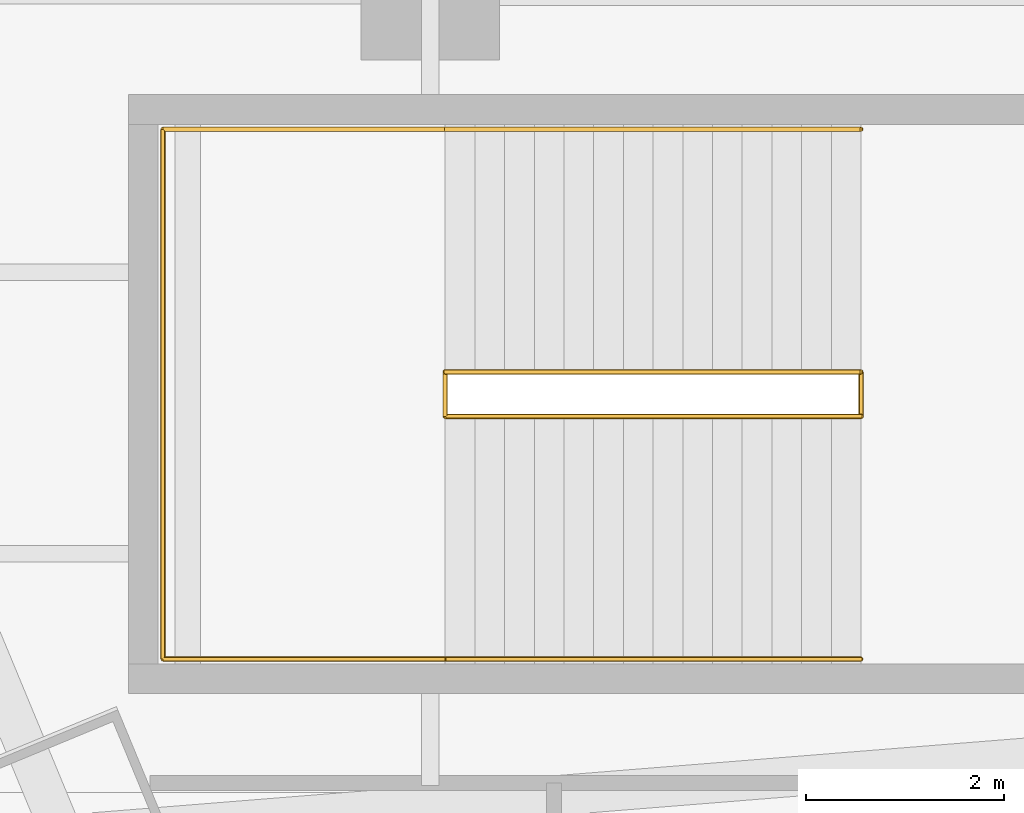
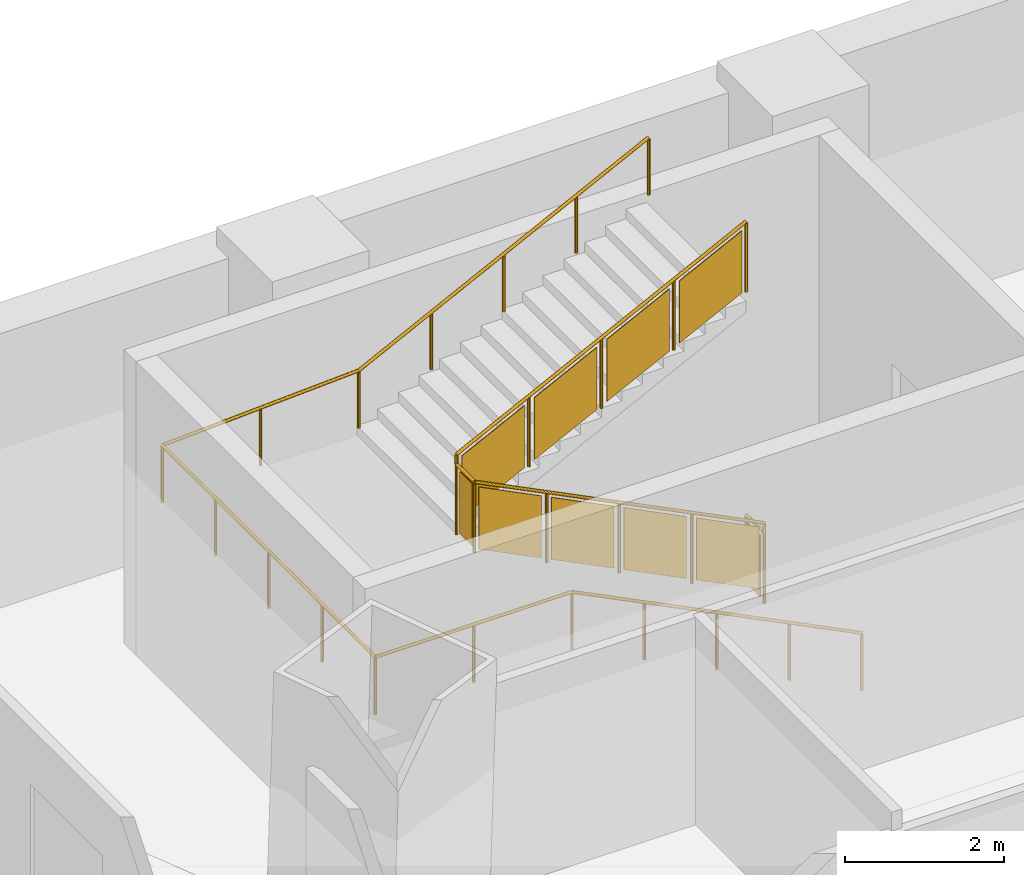
# One storey, part 13 of 15: 2 railings.
"""IFC4 building model written with IfcOpenShell, lengths in metres."""

import ifcopenshell
import ifcopenshell.guid

model = None  # the IFC model being written
_history = None  # IfcOwnerHistory: only IFC2X3 demands one
_inside = {}  # id of a spatial element -> (the spatial element, [elements in it])
_under = {}  # id of a project, library or spatial element -> (it, [spatial elements below it])
_declared = {}  # id of a project -> (the project, [libraries it declares])
_typed = {}  # id of a type object -> (the type object, [elements of that type])
_made_of = {}  # id of a material, layer set ... -> (it, [elements and type objects made of it])


def new_model(schema):
    """Start an empty IFC model of exactly this schema.

    Asked for "IFC4X3", IfcOpenShell would pick the latest addendum, in which some entities
    have other attributes; the version numbers below select the first issue.
    IFC2X3 requires an IfcOwnerHistory on every rooted entity: one is made here for all.
    """
    global model, _history
    if schema == "IFC4X3":
        model = ifcopenshell.file(schema_version=(4, 3, 0, 0))
    else:
        model = ifcopenshell.file(schema=schema)
    _inside.clear()
    _under.clear()
    _declared.clear()
    _typed.clear()
    _made_of.clear()
    _history = None
    if model.schema == "IFC2X3":
        org = make("IfcOrganization", Name="unknown")
        user = make(
            "IfcPersonAndOrganization",
            ThePerson=make("IfcPerson", FamilyName="unknown"),
            TheOrganization=org,
        )
        app = make(
            "IfcApplication",
            ApplicationDeveloper=org,
            Version="unknown",
            ApplicationFullName="unknown",
            ApplicationIdentifier="unknown",
        )
        _history = make(
            "IfcOwnerHistory",
            OwningUser=user,
            OwningApplication=app,
            ChangeAction="ADDED",
            CreationDate=0,
        )
    return model


def make(cls, **values):
    """One entity of the class cls with the attributes given. An attribute that is None is left unset."""
    return model.create_entity(
        cls, **{name: value for name, value in values.items() if value is not None}
    )


def rooted(cls, **values):
    """An entity with a GlobalId (a new one), such as an element, a storey or a relation."""
    return make(cls, GlobalId=ifcopenshell.guid.new(), OwnerHistory=_history, **values)


def si_unit(unit_type, name, prefix=None):
    """IfcSIUnit, for example si_unit("LENGTHUNIT", "METRE", prefix="MILLI")."""
    return make("IfcSIUnit", UnitType=unit_type, Prefix=prefix, Name=name)


def assignment(units):
    """IfcUnitAssignment: the units of a project."""
    return None if units is None else make("IfcUnitAssignment", Units=units)


def point(xyz):
    """IfcCartesianPoint."""
    return None if xyz is None else make("IfcCartesianPoint", Coordinates=xyz)


def direction(xyz):
    """IfcDirection."""
    return None if xyz is None else make("IfcDirection", DirectionRatios=xyz)


def frame(location, z_axis=None, x_axis=None):
    """IfcAxis2Placement3D, a coordinate frame: its origin and axes. An axis left out is left unset."""
    return make(
        "IfcAxis2Placement3D",
        Location=point(location),
        Axis=direction(z_axis),
        RefDirection=direction(x_axis),
    )


def frame_2d(location, x_axis=None):
    """IfcAxis2Placement2D, a coordinate frame in the plane: its origin and x axis."""
    return make(
        "IfcAxis2Placement2D", Location=point(location), RefDirection=direction(x_axis)
    )


def origin():
    """The frame at (0, 0, 0) with its axes left unset."""
    return frame((0.0, 0.0, 0.0))


def origin_2d():
    """The frame at (0, 0) in the plane with its x axis left unset."""
    return frame_2d((0.0, 0.0))


def place(relative_to, where):
    """IfcLocalPlacement: puts the frame where relative to a parent placement (None: the world)."""
    return make(
        "IfcLocalPlacement", PlacementRelTo=relative_to, RelativePlacement=where
    )


def context(
    kind, dimensions, precision=None, world=None, true_north=None, identifier=None
):
    """IfcGeometricRepresentationContext, for example the 3D "Model" context."""
    return make(
        "IfcGeometricRepresentationContext",
        ContextIdentifier=identifier,
        ContextType=kind,
        CoordinateSpaceDimension=dimensions,
        Precision=precision,
        WorldCoordinateSystem=world,
        TrueNorth=true_north,
    )


def subcontext(parent, identifier, kind, view, scale=None):
    """IfcGeometricRepresentationSubContext, for example "Body" below "Model"."""
    return make(
        "IfcGeometricRepresentationSubContext",
        ContextIdentifier=identifier,
        ContextType=kind,
        ParentContext=parent,
        TargetScale=scale,
        TargetView=view,
    )


def project(units=None, contexts=None):
    """IfcProject with its units and contexts."""
    return rooted(
        "IfcProject",
        Name="project",
        RepresentationContexts=contexts,
        UnitsInContext=assignment(units),
    )


def spatial(cls, under=None, at=None, **own):
    """A site, building, storey or space (cls), placed at a placement, below another one or the project."""
    s = rooted(cls, ObjectPlacement=at, **own)
    if under is not None:
        _under.setdefault(under.id(), (under, []))[1].append(s)
    return s


def polyline(points):
    """IfcPolyline through the points."""
    return make("IfcPolyline", Points=[point(p) for p in points])


def profile(cls, at=None, kind="AREA", **sizes):
    """A parametric profile (cls). Its sizes go by their IFC names, for example OverallWidth=200.0."""
    return make(cls, ProfileType=kind, Position=at, **sizes)


def circle(**sizes):
    """IfcCircleProfileDef."""
    return profile("IfcCircleProfileDef", **sizes)


def outline(outer, holes=None, kind="AREA"):
    """IfcArbitraryClosedProfileDef: a profile drawn as a closed curve; with holes, ...WithVoids."""
    if holes is None:
        return make("IfcArbitraryClosedProfileDef", ProfileType=kind, OuterCurve=outer)
    return make(
        "IfcArbitraryProfileDefWithVoids",
        ProfileType=kind,
        OuterCurve=outer,
        InnerCurves=holes,
    )


def extrude(swept, where, along, depth):
    """IfcExtrudedAreaSolid: the profile swept, set in the frame where, extruded along a direction by depth."""
    return make(
        "IfcExtrudedAreaSolid",
        SweptArea=swept,
        Position=where,
        ExtrudedDirection=direction(along),
        Depth=depth,
    )


def shape(context_of_items, identifier, shape_type, items):
    """IfcShapeRepresentation: the items that make up one representation, for example the "Body"."""
    return make(
        "IfcShapeRepresentation",
        ContextOfItems=context_of_items,
        RepresentationIdentifier=identifier,
        RepresentationType=shape_type,
        Items=items,
    )


def material(Name=None, Category=None):
    """IfcMaterial."""
    return make("IfcMaterial", Name=Name, Category=Category)


def made_of(thing, what):
    """Note that an element or type object is made of a material, layer set ...; save() writes the relation."""
    if what is not None:
        _made_of.setdefault(what.id(), (what, []))[1].append(thing)
    return thing


def type_object(cls, material=None, **own):
    """A type object (cls), such as IfcWallType, which elements share."""
    return made_of(rooted(cls, **own), material)


def element(
    cls,
    number,
    at=None,
    inside=None,
    cuts=None,
    type_object=None,
    material=None,
    context=None,
    identifier="Body",
    shape_type=None,
    held_by="IfcProductDefinitionShape",
    body=None,
    shapes=None,
    **own,
):
    """One element of the class cls, such as IfcWall. Its Tag is "e" and its number.

    at: its placement. inside: the storey or other place that contains it. cuts: it is an
    opening in that element (IfcRelVoidsElement). A single representation is given by context,
    identifier, shape_type and body (its items); several are given by shapes. held_by: the class
    of the entity that holds the representations. save() writes the other relations.
    """
    e = rooted(cls, Tag="e%d" % number, ObjectPlacement=at, **own)
    if body is not None:
        shapes = [shape(context, identifier, shape_type, body)]
    if shapes is not None:
        e.Representation = make(held_by, Representations=shapes)
    if inside is not None:
        _inside.setdefault(inside.id(), (inside, []))[1].append(e)
    if cuts is not None:
        rooted(
            "IfcRelVoidsElement", RelatingBuildingElement=cuts, RelatedOpeningElement=e
        )
    if type_object is not None:
        _typed.setdefault(type_object.id(), (type_object, []))[1].append(e)
    return made_of(e, material)


def aggregate(whole, parts):
    """IfcRelAggregates: a whole, such as a stair, and the parts it consists of."""
    return rooted("IfcRelAggregates", RelatingObject=whole, RelatedObjects=parts)


def save(model, path):
    """Write the relations noted so far, then the file.

    IfcRelAggregates (storeys below a building ...), IfcRelContainedInSpatialStructure (elements
    in a storey), IfcRelDefinesByType, IfcRelAssociatesMaterial and IfcRelDeclares: one each for
    every whole, place, type object, material and project.
    """
    for whole, parts in _under.values():
        aggregate(whole, parts)
    for where, things in _inside.values():
        rooted(
            "IfcRelContainedInSpatialStructure",
            RelatedElements=things,
            RelatingStructure=where,
        )
    for kind, things in _typed.values():
        rooted("IfcRelDefinesByType", RelatedObjects=things, RelatingType=kind)
    for what, things in _made_of.values():
        rooted("IfcRelAssociatesMaterial", RelatedObjects=things, RelatingMaterial=what)
    for by, libraries in _declared.values():
        rooted("IfcRelDeclares", RelatingContext=by, RelatedDefinitions=libraries)
    model.write(path)


model = new_model("IFC4")

# Units and contexts
model_context = context("Model", 3, precision=1e-05, world=origin(), true_north=direction((0.0, 1.0)))
body_context = subcontext(model_context, "Body", "Model", "MODEL_VIEW")
ifc_project = project(units=[si_unit("LENGTHUNIT", "METRE"), si_unit("AREAUNIT", "SQUARE_METRE"), si_unit("VOLUMEUNIT", "CUBIC_METRE"), si_unit("PLANEANGLEUNIT", "RADIAN"), si_unit("MASSUNIT", "GRAM", prefix="KILO")], contexts=[model_context])

# Site, building, storey
site_placement = place(None, origin())
site = spatial("IfcSite", under=ifc_project, at=site_placement, CompositionType="ELEMENT")
building_placement = place(site_placement, origin())
building = spatial("IfcBuilding", under=site, at=building_placement, Name="Mashrafa Tower", CompositionType="ELEMENT")
storey_placement = place(building_placement, frame((0.0, 0.0, -4.5)))
storey = spatial("IfcBuildingStorey", under=building, at=storey_placement, Name="B1", CompositionType="ELEMENT", Elevation=-4.5)

# Railings
ifc_material_1 = material(Name="Steel guard with glass infill", Category="steel")
railing_type_1 = type_object("IfcRailingType", Name="Stair guard 1100", PredefinedType="GUARDRAIL", material=ifc_material_1)
railing_1_placement = place(storey_placement, frame((-2.89990234375, 31.14990234375, 0.0)))
element("IfcRailing", 1, at=railing_1_placement, inside=storey, type_object=railing_type_1, Name="Stair P2 guard B1", PredefinedType="GUARDRAIL", context=body_context, shape_type="SweptSolid", body=[
    extrude(circle(Radius=0.02392578125, at=origin_2d()), frame((0.0, 0.0, 1.076171875), z_axis=(0.0, -1.0, 0.0), x_axis=(1.0, 0.0, 0.0)), (0.0, 0.0, 1.0), 0.449951171875),
    extrude(circle(Radius=0.02392578125, at=origin_2d()), frame((0.0, -0.449951171875, 1.076171875), z_axis=(0.0, 0.0, 1.0), x_axis=(1.0, 0.0, 0.0)), (0.0, 0.0, 1.0), 0.14990234375),
    extrude(circle(Radius=0.02392578125, at=origin_2d()), frame((0.0, -0.449951171875, 1.22607421875), z_axis=(-0.894427191, 0.0, 0.4472135955), x_axis=(0.0, -1.0, 0.0)), (0.0, 0.0, 1.0), 4.696044921875),
    extrude(circle(Radius=0.02392578125, at=origin_2d()), frame((-4.2001953125, -0.449951171875, 3.326171875), z_axis=(0.0, 1.0, 0.0), x_axis=(-1.0, 0.0, 0.0)), (0.0, 0.0, 1.0), 0.449951171875),
    extrude(circle(Radius=0.02392578125, at=origin_2d()), frame((-4.2001953125, 0.0, 3.326171875), z_axis=(0.0, 0.0, 1.0), x_axis=(1.0, 0.0, 0.0)), (0.0, 0.0, 1.0), 0.14990234375),
    extrude(circle(Radius=0.02392578125, at=origin_2d()), frame((-4.2001953125, 0.0, 3.47607421875), z_axis=(0.894427191, 0.0, 0.4472135955), x_axis=(0.0, 1.0, 0.0)), (0.0, 0.0, 1.0), 4.696044921875),
    extrude(circle(Radius=0.02099609375, at=origin_2d()), origin(), (0.0, 0.0, 1.0), 1.052001953125),
    extrude(circle(Radius=0.02099609375, at=origin_2d()), frame((0.0, -0.449951171875, 0.0)), (0.0, 0.0, 1.0), 1.052001953125),
    extrude(circle(Radius=0.02099609375, at=origin_2d()), frame((0.0, -0.449951171875, 0.14990234375)), (0.0, 0.0, 1.0), 1.052001953125),
    extrude(circle(Radius=0.02099609375, at=origin_2d()), frame((-1.050048828125, -0.449951171875, 0.6748046875)), (0.0, 0.0, 1.0), 1.052001953125),
    extrude(circle(Radius=0.02099609375, at=origin_2d()), frame((-2.10009765625, -0.449951171875, 1.199951171875)), (0.0, 0.0, 1.0), 1.052001953125),
    extrude(circle(Radius=0.02099609375, at=origin_2d()), frame((-3.150146484375, -0.449951171875, 1.72509765625)), (0.0, 0.0, 1.0), 1.052001953125),
    extrude(circle(Radius=0.02099609375, at=origin_2d()), frame((-4.2001953125, -0.449951171875, 2.25)), (0.0, 0.0, 1.0), 1.052001953125),
    extrude(circle(Radius=0.02099609375, at=origin_2d()), frame((-4.2001953125, 0.0, 2.25)), (0.0, 0.0, 1.0), 1.052001953125),
    extrude(circle(Radius=0.02099609375, at=origin_2d()), frame((-4.2001953125, 0.0, 2.39990234375)), (0.0, 0.0, 1.0), 1.052001953125),
    extrude(circle(Radius=0.02099609375, at=origin_2d()), frame((-3.150146484375, 0.0, 2.9248046875)), (0.0, 0.0, 1.0), 1.052001953125),
    extrude(circle(Radius=0.02099609375, at=origin_2d()), frame((-2.10009765625, 0.0, 3.449951171875)), (0.0, 0.0, 1.0), 1.052001953125),
    extrude(circle(Radius=0.02099609375, at=origin_2d()), frame((-1.050048828125, 0.0, 3.97509765625)), (0.0, 0.0, 1.0), 1.052001953125),
    extrude(circle(Radius=0.02099609375, at=origin_2d()), frame((0.0, 0.0, 4.5)), (0.0, 0.0, 1.0), 1.052001953125),
    extrude(outline(polyline([(0.071044921875, 0.050048828125), (0.37890625, 0.050048828125), (0.37890625, 1.001953125), (0.071044921875, 1.001953125), (0.071044921875, 0.050048828125)])), frame((-0.006103515625, 0.0, 0.0), z_axis=(-1.0, 0.0, 0.0), x_axis=(0.0, -1.0, 0.0)), (0.0, 0.0, 1.0), 0.011962890625),
    extrude(outline(polyline([(0.071044921875, 0.08544921875), (0.97900390625, 0.53955078125), (0.97900390625, 1.491455078125), (0.071044921875, 1.03759765625), (0.071044921875, 0.08544921875)])), frame((0.0, -0.44384765625, 0.14990234375), z_axis=(0.0, 1.0, 0.0), x_axis=(-1.0, 0.0, 0.0)), (0.0, 0.0, 1.0), 0.011962890625),
    extrude(outline(polyline([(1.12109375, 0.610595703125), (2.029052734375, 1.064453125), (2.029052734375, 2.0166015625), (1.12109375, 1.5625), (1.12109375, 0.610595703125)])), frame((0.0, -0.44384765625, 0.14990234375), z_axis=(0.0, 1.0, 0.0), x_axis=(-1.0, 0.0, 0.0)), (0.0, 0.0, 1.0), 0.011962890625),
    extrude(outline(polyline([(2.171142578125, 1.135498046875), (3.0791015625, 1.589599609375), (3.0791015625, 2.54150390625), (2.171142578125, 2.087646484375), (2.171142578125, 1.135498046875)])), frame((0.0, -0.44384765625, 0.14990234375), z_axis=(0.0, 1.0, 0.0), x_axis=(-1.0, 0.0, 0.0)), (0.0, 0.0, 1.0), 0.011962890625),
    extrude(outline(polyline([(3.22119140625, 1.66064453125), (4.129150390625, 2.114501953125), (4.129150390625, 3.066650390625), (3.22119140625, 2.612548828125), (3.22119140625, 1.66064453125)])), frame((0.0, -0.44384765625, 0.14990234375), z_axis=(0.0, 1.0, 0.0), x_axis=(-1.0, 0.0, 0.0)), (0.0, 0.0, 1.0), 0.011962890625),
    extrude(outline(polyline([(0.071044921875, 0.050048828125), (0.37890625, 0.050048828125), (0.37890625, 1.001953125), (0.071044921875, 1.001953125), (0.071044921875, 0.050048828125)])), frame((-4.194091796875, -0.449951171875, 2.25), z_axis=(1.0, 0.0, 0.0), x_axis=(0.0, 1.0, 0.0)), (0.0, 0.0, 1.0), 0.011962890625),
    extrude(outline(polyline([(0.071044921875, 0.08544921875), (0.97900390625, 0.53955078125), (0.97900390625, 1.491455078125), (0.071044921875, 1.03759765625), (0.071044921875, 0.08544921875)])), frame((-4.2001953125, -0.006103515625, 2.39990234375), z_axis=(0.0, -1.0, 0.0), x_axis=(1.0, 0.0, 0.0)), (0.0, 0.0, 1.0), 0.011962890625),
    extrude(outline(polyline([(1.12109375, 0.610595703125), (2.029052734375, 1.064453125), (2.029052734375, 2.0166015625), (1.12109375, 1.5625), (1.12109375, 0.610595703125)])), frame((-4.2001953125, -0.006103515625, 2.39990234375), z_axis=(0.0, -1.0, 0.0), x_axis=(1.0, 0.0, 0.0)), (0.0, 0.0, 1.0), 0.011962890625),
    extrude(outline(polyline([(2.171142578125, 1.135498046875), (3.0791015625, 1.589599609375), (3.0791015625, 2.54150390625), (2.171142578125, 2.087646484375), (2.171142578125, 1.135498046875)])), frame((-4.2001953125, -0.006103515625, 2.39990234375), z_axis=(0.0, -1.0, 0.0), x_axis=(1.0, 0.0, 0.0)), (0.0, 0.0, 1.0), 0.011962890625),
    extrude(outline(polyline([(3.22119140625, 1.66064453125), (4.129150390625, 2.114501953125), (4.129150390625, 3.066650390625), (3.22119140625, 2.612548828125), (3.22119140625, 1.66064453125)])), frame((-4.2001953125, -0.006103515625, 2.39990234375), z_axis=(0.0, -1.0, 0.0), x_axis=(1.0, 0.0, 0.0)), (0.0, 0.0, 1.0), 0.011962890625),
])
ifc_material_2 = material(Name="Steel", Category="steel")
railing_type_2 = type_object("IfcRailingType", Name="Stair handrail 900", PredefinedType="HANDRAIL", material=ifc_material_2)
railing_2_placement = place(storey_placement, frame((-2.89990234375, 28.25, 0.14990234375)))
element("IfcRailing", 2, at=railing_2_placement, inside=storey, type_object=railing_type_2, Name="Stair P2 handrail B1", PredefinedType="HANDRAIL", context=body_context, shape_type="SweptSolid", body=[
    extrude(circle(Radius=0.02392578125, at=origin_2d()), frame((0.0, 0.0, 0.8759765625), z_axis=(-0.894427191, 0.0, 0.4472135955), x_axis=(0.0, -1.0, 0.0)), (0.0, 0.0, 1.0), 4.696044921875),
    extrude(circle(Radius=0.02392578125, at=origin_2d()), frame((-4.2001953125, 0.0, 2.97607421875), z_axis=(-1.0, 0.0, 0.0), x_axis=(0.0, -1.0, 0.0)), (0.0, 0.0, 1.0), 2.849853515625),
    extrude(circle(Radius=0.02392578125, at=origin_2d()), frame((-7.050048828125, 0.0, 2.97607421875), z_axis=(0.0, 1.0, 0.0), x_axis=(-1.0, 0.0, 0.0)), (0.0, 0.0, 1.0), 5.35009765625),
    extrude(circle(Radius=0.02392578125, at=origin_2d()), frame((-7.050048828125, 5.35009765625, 2.97607421875), z_axis=(0.99861948311, 0.0, 0.052527401922), x_axis=(0.0, 1.0, 0.0)), (0.0, 0.0, 1.0), 2.853759765625),
    extrude(circle(Radius=0.02392578125, at=origin_2d()), frame((-4.2001953125, 5.35009765625, 3.1259765625), z_axis=(0.894427191, 0.0, 0.4472135955), x_axis=(0.0, 1.0, 0.0)), (0.0, 0.0, 1.0), 4.696044921875),
    extrude(circle(Radius=0.02099609375, at=origin_2d()), origin(), (0.0, 0.0, 1.0), 0.851806640625),
    extrude(circle(Radius=0.02099609375, at=origin_2d()), frame((-1.050048828125, 0.0, 0.52490234375)), (0.0, 0.0, 1.0), 0.851806640625),
    extrude(circle(Radius=0.02099609375, at=origin_2d()), frame((-2.10009765625, 0.0, 1.050048828125)), (0.0, 0.0, 1.0), 0.851806640625),
    extrude(circle(Radius=0.02099609375, at=origin_2d()), frame((-3.150146484375, 0.0, 1.5751953125)), (0.0, 0.0, 1.0), 0.851806640625),
    extrude(circle(Radius=0.02099609375, at=origin_2d()), frame((-4.2001953125, 0.0, 2.10009765625)), (0.0, 0.0, 1.0), 0.851806640625),
    extrude(circle(Radius=0.02099609375, at=origin_2d()), frame((-5.625, 0.0, 2.10009765625)), (0.0, 0.0, 1.0), 0.851806640625),
    extrude(circle(Radius=0.02099609375, at=origin_2d()), frame((-7.050048828125, 0.0, 2.10009765625)), (0.0, 0.0, 1.0), 0.851806640625),
    extrude(circle(Radius=0.02099609375, at=origin_2d()), frame((-7.050048828125, 1.33740234375, 2.10009765625)), (0.0, 0.0, 1.0), 0.851806640625),
    extrude(circle(Radius=0.02099609375, at=origin_2d()), frame((-7.050048828125, 2.675048828125, 2.10009765625)), (0.0, 0.0, 1.0), 0.851806640625),
    extrude(circle(Radius=0.02099609375, at=origin_2d()), frame((-7.050048828125, 4.0126953125, 2.10009765625)), (0.0, 0.0, 1.0), 0.851806640625),
    extrude(circle(Radius=0.02099609375, at=origin_2d()), frame((-7.050048828125, 5.35009765625, 2.10009765625)), (0.0, 0.0, 1.0), 0.851806640625),
    extrude(circle(Radius=0.02099609375, at=origin_2d()), frame((-5.625, 5.35009765625, 2.175048828125)), (0.0, 0.0, 1.0), 0.851806640625),
    extrude(circle(Radius=0.02099609375, at=origin_2d()), frame((-4.2001953125, 5.35009765625, 2.25)), (0.0, 0.0, 1.0), 0.851806640625),
    extrude(circle(Radius=0.02099609375, at=origin_2d()), frame((-3.150146484375, 5.35009765625, 2.77490234375)), (0.0, 0.0, 1.0), 0.851806640625),
    extrude(circle(Radius=0.02099609375, at=origin_2d()), frame((-2.10009765625, 5.35009765625, 3.300048828125)), (0.0, 0.0, 1.0), 0.851806640625),
    extrude(circle(Radius=0.02099609375, at=origin_2d()), frame((-1.050048828125, 5.35009765625, 3.8251953125)), (0.0, 0.0, 1.0), 0.851806640625),
    extrude(circle(Radius=0.02099609375, at=origin_2d()), frame((0.0, 5.35009765625, 4.35009765625)), (0.0, 0.0, 1.0), 0.851806640625),
])

save(model, "model.ifc")
